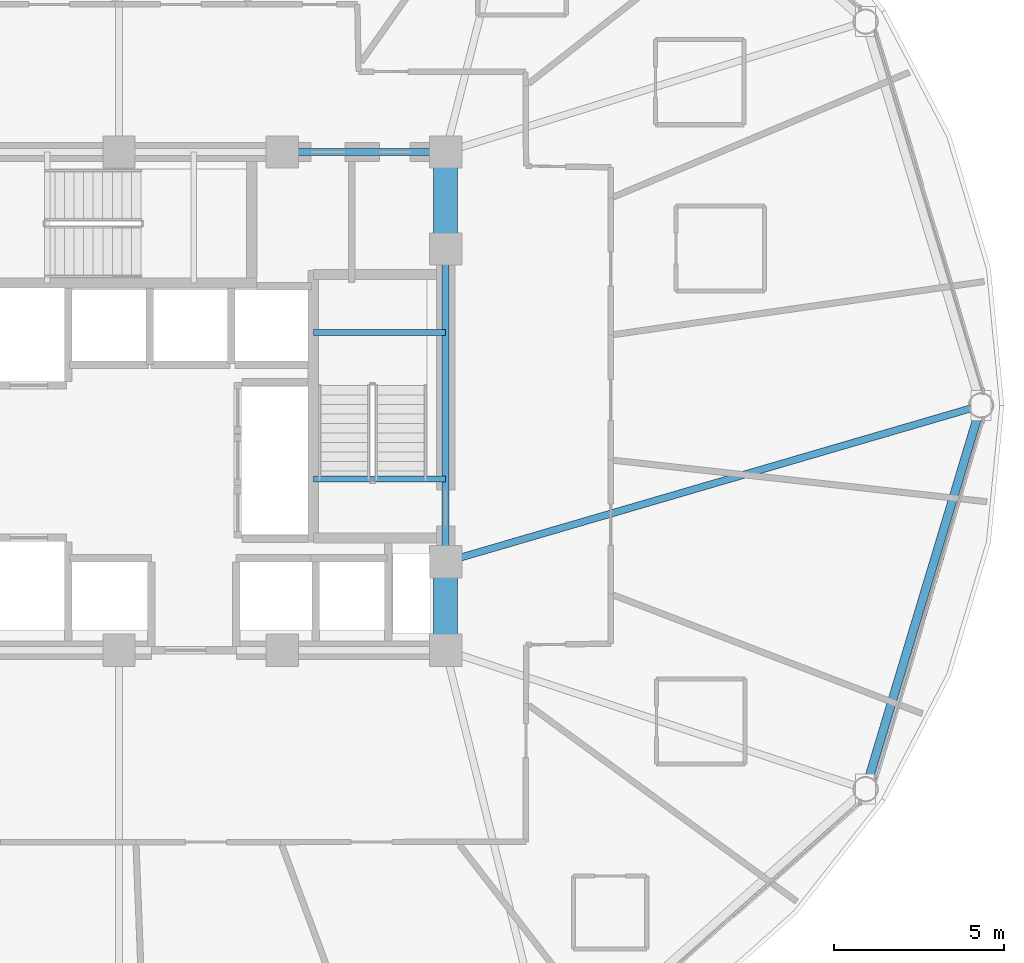
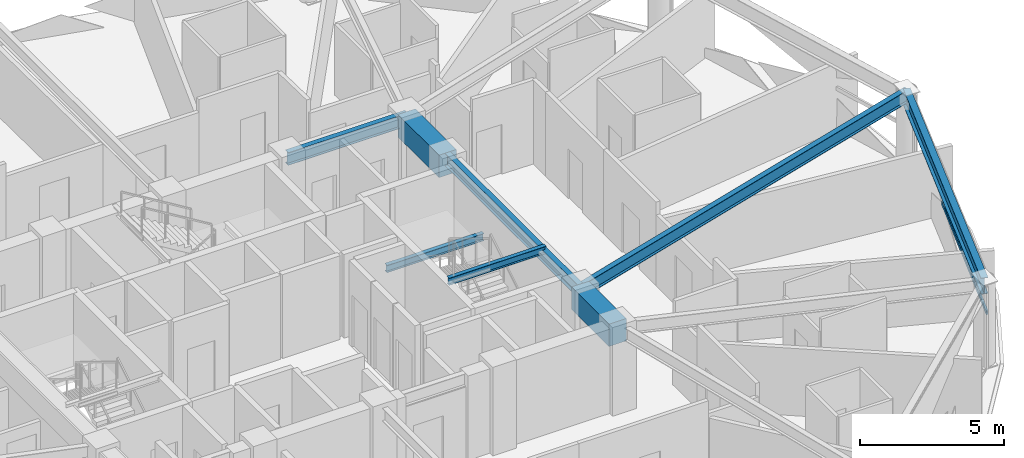
# One storey, part 12 of 31: 8 beams, 1 member, 1 element without a shape of its own.
"""IFC4 building model written with IfcOpenShell, lengths in metres."""

from ifc_helpers import new_model, si_unit, direction, frame, origin, origin_2d, place, context, subcontext, project, spatial, rectangle, hollow_rectangle, i_section, extrude, material, layer, layer_set, material_profile, profile_set, type_object, element, aggregate, save


model = new_model("IFC4")

# Units and contexts
model_context = context("Model", 3, precision=1e-05, world=origin(), true_north=direction((0.0, 1.0)))
body_context = subcontext(model_context, "Body", "Model", "MODEL_VIEW")
ifc_project = project(units=[si_unit("LENGTHUNIT", "METRE"), si_unit("AREAUNIT", "SQUARE_METRE"), si_unit("VOLUMEUNIT", "CUBIC_METRE"), si_unit("PLANEANGLEUNIT", "RADIAN"), si_unit("MASSUNIT", "GRAM", prefix="KILO")], contexts=[model_context])

# Site, building, storey
site_placement = place(None, origin())
site = spatial("IfcSite", under=ifc_project, at=site_placement, CompositionType="ELEMENT")
building_placement = place(site_placement, origin())
building = spatial("IfcBuilding", under=site, at=building_placement, Name="Vantalir Tower", CompositionType="ELEMENT")
storey_placement = place(building_placement, frame((0.0, 0.0, 123.449951171875)))
storey = spatial("IfcBuildingStorey", under=building, at=storey_placement, Name="L30", CompositionType="ELEMENT", Elevation=123.449951171875)

# Beams
ifc_material_1 = material(Name="Concrete C60/75", Category="concrete")
ifc_material_profile_1 = material_profile(ifc_material_1, rectangle(XDim=0.699951171875, YDim=0.949951171875, at=origin_2d()), Name="Concrete C60/75")
ifc_profile_set_1 = profile_set([ifc_material_profile_1], Name="Concrete C60/75")
beam_type_1 = type_object("IfcBeamType", Name="BM-CB-700x950", PredefinedType="USERDEFINED", material=ifc_profile_set_1)
beam_1_placement = place(storey_placement, frame((41.10009765625, 17.800048828125, 3.094970703125), z_axis=(0.0, 1.0, 0.0), x_axis=(-1.0, 0.0, 0.0)))
element("IfcBeam", 1, at=beam_1_placement, inside=storey, type_object=beam_type_1, Name="L30 Core Coupling Girder 05", ObjectType="GIRDER", PredefinedType="USERDEFINED", context=body_context, shape_type="SweptSolid", body=[
    extrude(rectangle(XDim=0.699951171875, YDim=0.949951171875, at=origin_2d()), origin(), (0.0, 0.0, 1.0), 2.599853515625),
])
beam_2_placement = place(storey_placement, frame((41.10009765625, 29.60009765625, 3.094970703125), z_axis=(0.0, 1.0, 0.0), x_axis=(-1.0, 0.0, 0.0)))
element("IfcBeam", 2, at=beam_2_placement, inside=storey, type_object=beam_type_1, Name="L30 Core Coupling Girder 07", ObjectType="GIRDER", PredefinedType="USERDEFINED", context=body_context, shape_type="SweptSolid", body=[
    extrude(rectangle(XDim=0.699951171875, YDim=0.949951171875, at=origin_2d()), origin(), (0.0, 0.0, 1.0), 2.849853515625),
])
ifc_material_2 = material(Name="Steel S355", Category="steel")
ifc_material_profile_2 = material_profile(ifc_material_2, i_section(OverallWidth=0.166015625, OverallDepth=0.306884765625, WebThickness=0.006591796875, FlangeThickness=0.01171875, at=origin_2d()), Name="Steel S355")
ifc_profile_set_2 = profile_set([ifc_material_profile_2], Name="Steel S355")
beam_type_2 = type_object("IfcBeamType", Name="BM-JS-305x165", PredefinedType="JOIST", material=ifc_profile_set_2)
for number, where, z_axis, x_axis, name in (
    (3, (37.2099609375, 22.8349609375, 3.59716796875), (1.0, 0.0, 0.0), (0.0, 1.0, 0.0), "L31 Stair ST2 Well Nosing Trimmer Beam"),
    (4, (37.2099609375, 27.14501953125, 1.52197265625), (1.0, 0.0, 0.0), (0.0, 1.0, 0.0), "L30 Stair ST2 Half-Landing Support Beam"),
):
    element("IfcBeam", number, at=place(storey_placement, frame(where, z_axis=z_axis, x_axis=x_axis)), inside=storey, type_object=beam_type_2, Name=name, PredefinedType="JOIST", context=body_context, shape_type="SweptSolid", body=[
        extrude(i_section(OverallWidth=0.166015625, OverallDepth=0.306884765625, WebThickness=0.006591796875, FlangeThickness=0.01171875, at=origin_2d()), origin(), (0.0, 0.0, 1.0), 3.89013671875),
    ])
ifc_material_profile_3 = material_profile(ifc_material_2, i_section(OverallWidth=0.2109375, OverallDepth=0.5390625, WebThickness=0.01171875, FlangeThickness=0.018798828125, at=origin_2d()), Name="Steel S355")
ifc_profile_set_3 = profile_set([ifc_material_profile_3], Name="Steel S355")
beam_type_3 = type_object("IfcBeamType", Name="BM-RB-533x210", PredefinedType="BEAM", material=ifc_profile_set_3)
beam_3_placement = place(storey_placement, frame((41.10009765625, 20.39990234375, 3.300048828125), z_axis=(0.0, 1.0, 0.0), x_axis=(-1.0, 0.0, 0.0)))
element("IfcBeam", 5, at=beam_3_placement, inside=storey, type_object=beam_type_3, Name="L30 Core Coupling Girder 06", PredefinedType="BEAM", context=body_context, shape_type="SweptSolid", body=[
    extrude(i_section(OverallWidth=0.2109375, OverallDepth=0.5390625, WebThickness=0.01171875, FlangeThickness=0.018798828125, at=origin_2d()), origin(), (0.0, 0.0, 1.0), 9.2001953125),
])
beam_4_placement = place(storey_placement, frame((41.10009765625, 32.449951171875, 3.300048828125), z_axis=(-1.0, 0.0, 0.0), x_axis=(0.0, -1.0, 0.0)))
element("IfcBeam", 6, at=beam_4_placement, inside=storey, type_object=beam_type_3, Name="L30 Core Coupling Girder 08", PredefinedType="BEAM", context=body_context, shape_type="SweptSolid", body=[
    extrude(i_section(OverallWidth=0.2109375, OverallDepth=0.5390625, WebThickness=0.01171875, FlangeThickness=0.018798828125, at=origin_2d()), origin(), (0.0, 0.0, 1.0), 4.800048828125),
])
beam_5_placement = place(storey_placement, frame((56.840087890625, 25.0, 3.300048828125), z_axis=(-0.959847952894, -0.280520778775, 0.0), x_axis=(0.280520778775, -0.959847952894, 0.0)))
element("IfcBeam", 7, at=beam_5_placement, inside=storey, type_object=beam_type_3, Name="L30 Radial Floor Beam 01", PredefinedType="BEAM", context=body_context, shape_type="SweptSolid", body=[
    extrude(i_section(OverallWidth=0.2109375, OverallDepth=0.5390625, WebThickness=0.01171875, FlangeThickness=0.018798828125, at=origin_2d()), origin(), (0.0, 0.0, 1.0), 16.3984375),
])
ifc_material_3 = material(Name="Steel S460", Category="steel")
ifc_material_profile_4 = material_profile(ifc_material_3, i_section(OverallWidth=0.256103515625, OverallDepth=0.693115234375, WebThickness=0.014404296875, FlangeThickness=0.023681640625, at=origin_2d()), Name="Steel S460")
ifc_profile_set_4 = profile_set([ifc_material_profile_4], Name="Steel S460")
beam_type_4 = type_object("IfcBeamType", Name="BM-RG-686x254", PredefinedType="USERDEFINED", material=ifc_profile_set_4)
beam_6_placement = place(storey_placement, frame((53.445068359375, 13.717041015625, 3.22314453125), z_axis=(0.288136680777, 0.957589292542, 0.0), x_axis=(-0.957589292542, 0.288136680777, 0.0)))
element("IfcBeam", 8, at=beam_6_placement, inside=storey, type_object=beam_type_4, Name="L30 Circumferential Ring Girder 12", ObjectType="GIRDER", PredefinedType="USERDEFINED", context=body_context, shape_type="SweptSolid", body=[
    extrude(i_section(OverallWidth=0.256103515625, OverallDepth=0.693115234375, WebThickness=0.014404296875, FlangeThickness=0.023681640625, at=origin_2d()), origin(), (0.0, 0.0, 1.0), 11.78271484375),
])

# Curtain wall, member
ifc_material_4 = material(Name="Champagne-silver PVDF aluminium and double-silver Low-E glass", Category="aluminium")
ifc_layer = layer(ifc_material_4, 0.199951171875)
ifc_layer_set = layer_set([ifc_layer], Name="Champagne-silver PVDF aluminium and double-silver Low-E glass")
curtain_wall_type = type_object("IfcCurtainWallType", Name="CW-DIAMOND-Z2", PredefinedType="USERDEFINED", material=ifc_layer_set)
curtain_wall_placement = place(storey_placement, origin())
curtain_wall = element("IfcCurtainWall", 9, at=curtain_wall_placement, inside=storey, type_object=curtain_wall_type, Name="L30 Quilted Pyramid-Diamond Curtain Wall S12", ObjectType="UNITISED CURTAIN WALL", PredefinedType="USERDEFINED")
ifc_material_5 = material(Name="Champagne-silver PVDF aluminium 6063-T6", Category="aluminium")
ifc_material_profile_5 = material_profile(ifc_material_5, hollow_rectangle(XDim=0.074951171875, YDim=0.159912109375, WallThickness=0.00390625, at=origin_2d()), Name="Champagne-silver PVDF aluminium 6063-T6")
ifc_profile_set_5 = profile_set([ifc_material_profile_5], Name="Champagne-silver PVDF aluminium 6063-T6")
member_type = type_object("IfcMemberType", Name="CWT-160x75", PredefinedType="USERDEFINED", material=ifc_profile_set_5)
member_placement = place(storey_placement, frame((53.737060546875, 14.04296875, 1.78515625), z_axis=(0.291195784047, 0.956663480725, 0.0), x_axis=(-0.956663480725, 0.291195784047, 0.0)))
member = element("IfcMember", 10, at=member_placement, type_object=member_type, Name="CW-L30-S12 Pyramid Fold Ridge Transom", ObjectType="TRANSOM", PredefinedType="USERDEFINED", context=body_context, shape_type="SweptSolid", body=[
    extrude(hollow_rectangle(XDim=0.074951171875, YDim=0.159912109375, WallThickness=0.00390625, at=origin_2d()), origin(), (0.0, 0.0, 1.0), 6.82373046875),
])
aggregate(curtain_wall, [member])

save(model, "model.ifc")
